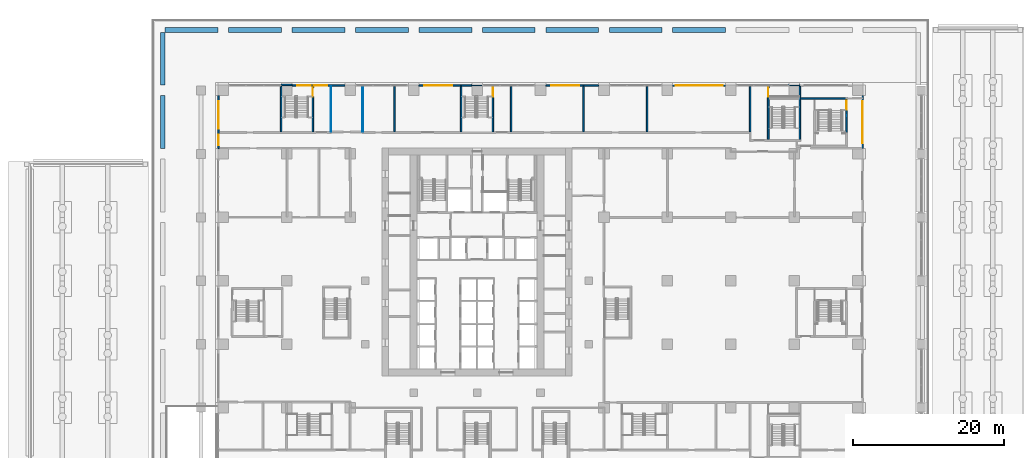
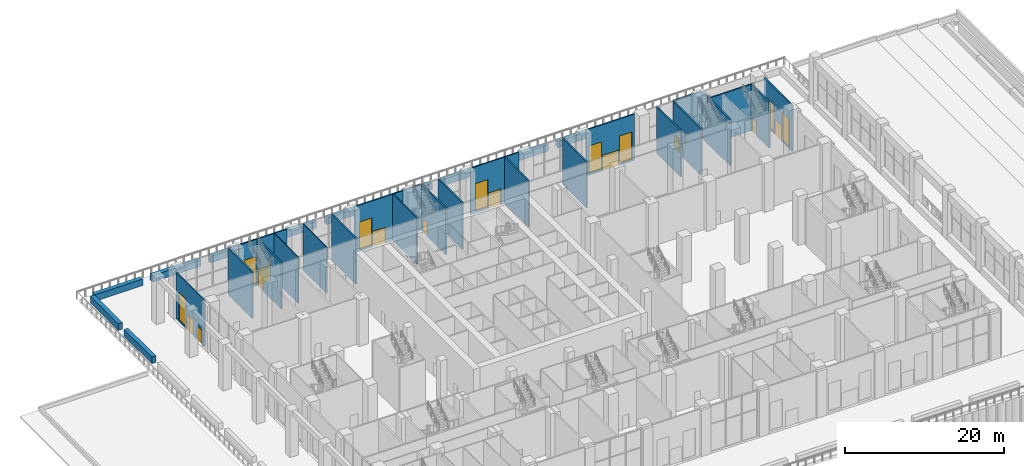
# One storey, part 31 of 53: 35 walls, 11 doors, 8 windows, 19 openings.
"""IFC4 building model written with IfcOpenShell, lengths in metres."""

from ifc_helpers import new_model, si_unit, direction, frame, frame_2d, origin, place, context, subcontext, project, spatial, rectangle, extrude, material, layer, layer_set, type_object, element, fill, save


model = new_model("IFC4")

# Units and contexts
model_context = context("Model", 3, precision=1e-05, world=origin(), true_north=direction((0.0, 1.0)))
body_context = subcontext(model_context, "Body", "Model", "MODEL_VIEW")
ifc_project = project(units=[si_unit("LENGTHUNIT", "METRE"), si_unit("AREAUNIT", "SQUARE_METRE"), si_unit("VOLUMEUNIT", "CUBIC_METRE"), si_unit("PLANEANGLEUNIT", "RADIAN"), si_unit("MASSUNIT", "GRAM", prefix="KILO")], contexts=[model_context])

# Site, building, storey
site_placement = place(None, origin())
site = spatial("IfcSite", under=ifc_project, at=site_placement, CompositionType="ELEMENT")
building_placement = place(site_placement, origin())
building = spatial("IfcBuilding", under=site, at=building_placement, Name="Vermilion Ogive Tower", CompositionType="ELEMENT")
storey_placement = place(building_placement, origin())
storey = spatial("IfcBuildingStorey", under=building, at=storey_placement, Name="L00", CompositionType="ELEMENT", Elevation=0.0)

# Walls
ifc_material_1 = material(Name="Gypsum board partition on steel studs", Category="steel")
ifc_layer_1 = layer(ifc_material_1, 0.10009765625)
ifc_layer_set_1 = layer_set([ifc_layer_1], Name="Partition 100 bath")
wall_type_1 = type_object("IfcWallType", Name="Partition 100 bath", PredefinedType="PARTITIONING", material=ifc_layer_set_1)
for number, where, z_axis, x_axis, name in (
    (1, (-19.35009765625, 23.925048828125, 0.0), (0.0, 0.0, 1.0), (0.0, 1.0, 0.0), "L00-FS-W-W067"),
    (2, (-15.14990234375, 23.925048828125, 0.0), (0.0, 0.0, 1.0), (0.0, 1.0, 0.0), "L00-FS-W-W075"),
):
    element("IfcWall", number, at=place(storey_placement, frame(where, z_axis=z_axis, x_axis=x_axis)), inside=storey, type_object=wall_type_1, Name=name, PredefinedType="PARTITIONING", context=body_context, shape_type="SweptSolid", body=[
        extrude(rectangle(XDim=6.02490234375, YDim=0.10009765625, at=frame_2d((3.012451171875, 0.0))), origin(), (0.0, 0.0, 1.0), 7.10009765625),
    ])
ifc_material_2 = material(Name="Gypsum board partition on steel studs", Category="steel")
ifc_layer_2 = layer(ifc_material_2, 0.199951171875)
ifc_layer_set_2 = layer_set([ifc_layer_2], Name="Partition 200 party")
wall_type_2 = type_object("IfcWallType", Name="Partition 200 party", PredefinedType="PARTITIONING", material=ifc_layer_set_2)
for number, where, z_axis, x_axis, name in (
    (3, (-10.949951171875, 23.925048828125, 0.0), (0.0, 0.0, 1.0), (0.0, 1.0, 0.0), "L00-FS-W-W076"),
    (4, (4.5, 23.925048828125, 0.0), (0.0, 0.0, 1.0), (0.0, 1.0, 0.0), "L00-FS-W-W084"),
    (5, (14.10009765625, 23.925048828125, 0.0), (0.0, 0.0, 1.0), (0.0, 1.0, 0.0), "L00-FS-W-W087"),
    (6, (22.5, 23.925048828125, 0.0), (0.0, 0.0, 1.0), (0.0, 1.0, 0.0), "L00-FS-W-W095"),
    (7, (36.14990234375, 23.925048828125, 0.0), (0.0, 0.0, 1.0), (0.0, 1.0, 0.0), "L00-FS-W-W108"),
):
    element("IfcWall", number, at=place(storey_placement, frame(where, z_axis=z_axis, x_axis=x_axis)), inside=storey, type_object=wall_type_2, Name=name, PredefinedType="PARTITIONING", context=body_context, shape_type="SweptSolid", body=[
        extrude(rectangle(XDim=6.02490234375, YDim=0.199951171875, at=frame_2d((3.012451171875, 0.0))), origin(), (0.0, 0.0, 1.0), 7.10009765625),
    ])
ifc_material_3 = material(Name="Concrete B60", Category="concrete")
ifc_layer_3 = layer(ifc_material_3, 0.199951171875)
ifc_layer_set_3 = layer_set([ifc_layer_3], Name="Stair shaft wall 200 Concrete B60")
wall_type_3 = type_object("IfcWallType", Name="Stair shaft wall 200 Concrete B60", PredefinedType="SOLIDWALL", material=ifc_layer_set_3)
wall_1_placement = place(storey_placement, frame((-25.949951171875, 23.925048828125, 0.0), z_axis=(0.0, 0.0, 1.0), x_axis=(0.0, 1.0, 0.0)))
element("IfcWall", 8, at=wall_1_placement, inside=storey, type_object=wall_type_3, Name="L00-FS-W-W057", PredefinedType="SOLIDWALL", context=body_context, shape_type="SweptSolid", body=[
    extrude(rectangle(XDim=6.02490234375, YDim=0.199951171875, at=frame_2d((3.012451171875, 0.0))), origin(), (0.0, 0.0, 1.0), 7.10009765625),
])

# Wall, opening, door
wall_2_placement = place(storey_placement, frame((-21.75, 23.925048828125, 0.0), z_axis=(0.0, 0.0, 1.0), x_axis=(0.0, 1.0, 0.0)))
wall_2 = element("IfcWall", 9, at=wall_2_placement, inside=storey, type_object=wall_type_3, Name="L00-FS-W-W065", PredefinedType="SOLIDWALL", context=body_context, shape_type="SweptSolid", body=[
    extrude(rectangle(XDim=6.02490234375, YDim=0.199951171875, at=frame_2d((3.012451171875, 0.0))), origin(), (0.0, 0.0, 1.0), 7.10009765625),
])
opening_1_placement = place(wall_2_placement, frame((4.625, 0.0, 0.0)))
opening_1 = element("IfcOpeningElement", 10, at=opening_1_placement, cuts=wall_2, Name="Opening L00S001", PredefinedType="OPENING", context=body_context, shape_type="SweptSolid", body=[
    extrude(rectangle(XDim=1.199951171875, YDim=2.10009765625, at=frame_2d((0.60009765625, 1.050048828125))), frame((0.0, 0.10986328125, 0.0), z_axis=(0.0, -1.0, 0.0), x_axis=(1.0, 0.0, 0.0)), (0.0, 0.0, 1.0), 0.219970703125),
])
ifc_material_4 = material(Name="Timber door leaf", Category="wood")
door_type_1 = type_object("IfcDoorType", Name="Stair door 1200 x 2100 FD60S", OperationType="SINGLE_SWING_LEFT", PredefinedType="DOOR", material=ifc_material_4)
door_1_placement = place(opening_1_placement, origin())
door_1 = element("IfcDoor", 11, at=door_1_placement, inside=storey, type_object=door_type_1, Name="L00-FS-D-D001", OperationType="DOUBLE_DOOR_SINGLE_SWING", OverallHeight=2.10009765625, OverallWidth=1.199951171875, PredefinedType="DOOR", context=body_context, shape_type="SweptSolid", body=[
    extrude(rectangle(XDim=1.199951171875, YDim=2.10009765625, at=frame_2d((0.60009765625, 1.050048828125))), frame((0.0, 0.02490234375, 0.0), z_axis=(0.0, -1.0, 0.0), x_axis=(1.0, 0.0, 0.0)), (0.0, 0.0, 1.0), 0.050048828125),
])
fill(opening_1, door_1)

# Wall
wall_3_placement = place(storey_placement, frame((-2.10009765625, 23.925048828125, 0.0), z_axis=(0.0, 0.0, 1.0), x_axis=(0.0, 1.0, 0.0)))
element("IfcWall", 12, at=wall_3_placement, inside=storey, type_object=wall_type_3, Name="L00-FS-W-W081", PredefinedType="SOLIDWALL", context=body_context, shape_type="SweptSolid", body=[
    extrude(rectangle(XDim=6.02490234375, YDim=0.199951171875, at=frame_2d((3.012451171875, 0.0))), origin(), (0.0, 0.0, 1.0), 7.10009765625),
])

# Wall, opening, door
wall_4_placement = place(storey_placement, frame((2.10009765625, 23.925048828125, 0.0), z_axis=(0.0, 0.0, 1.0), x_axis=(0.0, 1.0, 0.0)))
wall_4 = element("IfcWall", 13, at=wall_4_placement, inside=storey, type_object=wall_type_3, Name="L00-FS-W-W082", PredefinedType="SOLIDWALL", context=body_context, shape_type="SweptSolid", body=[
    extrude(rectangle(XDim=6.02490234375, YDim=0.199951171875, at=frame_2d((3.012451171875, 0.0))), origin(), (0.0, 0.0, 1.0), 7.10009765625),
])
opening_2_placement = place(wall_4_placement, frame((4.625, 0.0, 0.0)))
opening_2 = element("IfcOpeningElement", 14, at=opening_2_placement, cuts=wall_4, Name="Opening L00S005", PredefinedType="OPENING", context=body_context, shape_type="SweptSolid", body=[
    extrude(rectangle(XDim=1.199951171875, YDim=2.10009765625, at=frame_2d((0.60009765625, 1.050048828125))), frame((0.0, 0.10986328125, 0.0), z_axis=(0.0, -1.0, 0.0), x_axis=(1.0, 0.0, 0.0)), (0.0, 0.0, 1.0), 0.219970703125),
])
door_2_placement = place(opening_2_placement, origin())
door_2 = element("IfcDoor", 15, at=door_2_placement, inside=storey, type_object=door_type_1, Name="L00-FS-D-D005", OperationType="DOUBLE_DOOR_SINGLE_SWING", OverallHeight=2.10009765625, OverallWidth=1.199951171875, PredefinedType="DOOR", context=body_context, shape_type="SweptSolid", body=[
    extrude(rectangle(XDim=1.199951171875, YDim=2.10009765625, at=frame_2d((0.60009765625, 1.050048828125))), frame((0.0, 0.02490234375, 0.0), z_axis=(0.0, -1.0, 0.0), x_axis=(1.0, 0.0, 0.0)), (0.0, 0.0, 1.0), 0.050048828125),
])
fill(opening_2, door_2)

wall_5_placement = place(storey_placement, frame((38.550048828125, 22.875, 0.0), z_axis=(0.0, 0.0, 1.0), x_axis=(0.0, 1.0, 0.0)))
wall_5 = element("IfcWall", 16, at=wall_5_placement, inside=storey, type_object=wall_type_3, Name="L00-FS-W-W110", PredefinedType="SOLIDWALL", context=body_context, shape_type="SweptSolid", body=[
    extrude(rectangle(XDim=7.074951171875, YDim=0.199951171875, at=frame_2d((3.53759765625, 0.0))), origin(), (0.0, 0.0, 1.0), 7.10009765625),
])
opening_3_placement = place(wall_5_placement, frame((5.675048828125, 0.0, 0.0)))
opening_3 = element("IfcOpeningElement", 17, at=opening_3_placement, cuts=wall_5, Name="Opening L00S002", PredefinedType="OPENING", context=body_context, shape_type="SweptSolid", body=[
    extrude(rectangle(XDim=1.199951171875, YDim=2.10009765625, at=frame_2d((0.60009765625, 1.050048828125))), frame((0.0, 0.10986328125, 0.0), z_axis=(0.0, -1.0, 0.0), x_axis=(1.0, 0.0, 0.0)), (0.0, 0.0, 1.0), 0.219970703125),
])
door_3_placement = place(opening_3_placement, origin())
door_3 = element("IfcDoor", 18, at=door_3_placement, inside=storey, type_object=door_type_1, Name="L00-FS-D-D002", OperationType="DOUBLE_DOOR_SINGLE_SWING", OverallHeight=2.10009765625, OverallWidth=1.199951171875, PredefinedType="DOOR", context=body_context, shape_type="SweptSolid", body=[
    extrude(rectangle(XDim=1.199951171875, YDim=2.10009765625, at=frame_2d((0.60009765625, 1.050048828125))), frame((0.0, 0.02490234375, 0.0), z_axis=(0.0, -1.0, 0.0), x_axis=(1.0, 0.0, 0.0)), (0.0, 0.0, 1.0), 0.050048828125),
])
fill(opening_3, door_3)

# Wall
wall_6_placement = place(storey_placement, frame((42.75, 22.89990234375, 0.0), z_axis=(0.0, 0.0, 1.0), x_axis=(0.0, 1.0, 0.0)))
element("IfcWall", 19, at=wall_6_placement, inside=storey, type_object=wall_type_3, Name="L00-FS-W-W118", PredefinedType="SOLIDWALL", context=body_context, shape_type="SweptSolid", body=[
    extrude(rectangle(XDim=7.050048828125, YDim=0.199951171875, at=frame_2d((3.52490234375, 0.0))), origin(), (0.0, 0.0, 1.0), 7.10009765625),
])

# Wall, openings, window, door
wall_7_placement = place(storey_placement, frame((-7.699951171875, 30.050048828125, 0.0), z_axis=(0.0, 0.0, 1.0), x_axis=(1.0, 0.0, 0.0)))
wall_7 = element("IfcWall", 20, at=wall_7_placement, inside=storey, type_object=wall_type_3, Name="Window wall N7", PredefinedType="SOLIDWALL", context=body_context, shape_type="SweptSolid", body=[
    extrude(rectangle(XDim=7.0, YDim=0.199951171875, at=frame_2d((3.5, 0.0))), origin(), (0.0, 0.0, 1.0), 7.10009765625),
])
opening_4_placement = place(wall_7_placement, frame((0.699951171875, 0.0, 0.300048828125)))
opening_4 = element("IfcOpeningElement", 21, at=opening_4_placement, cuts=wall_7, Name="Opening P-N7A", PredefinedType="OPENING", context=body_context, shape_type="SweptSolid", body=[
    extrude(rectangle(XDim=1.800048828125, YDim=4.199951171875, at=frame_2d((0.89990234375, 2.10009765625))), frame((0.0, 0.10986328125, 0.0), z_axis=(0.0, -1.0, 0.0), x_axis=(1.0, 0.0, 0.0)), (0.0, 0.0, 1.0), 0.219970703125),
])
opening_5_placement = place(wall_7_placement, frame((2.60009765625, 0.0, 0.0)))
opening_5 = element("IfcOpeningElement", 22, at=opening_5_placement, cuts=wall_7, Name="Opening D2-N7", PredefinedType="OPENING", context=body_context, shape_type="SweptSolid", body=[
    extrude(rectangle(XDim=1.800048828125, YDim=2.39990234375, at=frame_2d((0.89990234375, 1.199951171875))), frame((0.0, 0.10986328125, 0.0), z_axis=(0.0, -1.0, 0.0), x_axis=(1.0, 0.0, 0.0)), (0.0, 0.0, 1.0), 0.219970703125),
])
ifc_material_5 = material(Name="Aluminium framed double glazing", Category="aluminium")
window_type = type_object("IfcWindowType", Name="Podium window P 1800x4200 sill 300", PartitioningType="SINGLE_PANEL", PredefinedType="WINDOW", material=ifc_material_5)
window_1_placement = place(opening_4_placement, origin())
window_1 = element("IfcWindow", 23, at=window_1_placement, inside=storey, type_object=window_type, Name="Window N7A", OverallHeight=4.199951171875, OverallWidth=1.800048828125, PartitioningType="SINGLE_PANEL", PredefinedType="WINDOW", context=body_context, shape_type="SweptSolid", body=[
    extrude(rectangle(XDim=1.800048828125, YDim=4.199951171875, at=frame_2d((0.89990234375, 2.10009765625))), frame((0.0, 0.030029296875, 0.0), z_axis=(0.0, -1.0, 0.0), x_axis=(1.0, 0.0, 0.0)), (0.0, 0.0, 1.0), 0.06005859375),
])
fill(opening_4, window_1)
ifc_material_6 = material(Name="Aluminium framed glazed door", Category="aluminium")
door_type_2 = type_object("IfcDoorType", Name="Terrace door D2", OperationType="SINGLE_SWING_LEFT", PredefinedType="DOOR", material=ifc_material_6)
door_4_placement = place(opening_5_placement, origin())
door_4 = element("IfcDoor", 24, at=door_4_placement, inside=storey, type_object=door_type_2, Name="Terrace door N7", OperationType="SINGLE_SWING_LEFT", OverallHeight=2.39990234375, OverallWidth=1.800048828125, PredefinedType="DOOR", context=body_context, shape_type="SweptSolid", body=[
    extrude(rectangle(XDim=1.800048828125, YDim=2.39990234375, at=frame_2d((0.89990234375, 1.199951171875))), frame((0.0, 0.02490234375, 0.0), z_axis=(0.0, -1.0, 0.0), x_axis=(1.0, 0.0, 0.0)), (0.0, 0.0, 1.0), 0.050048828125),
])
fill(opening_5, door_4)

wall_8_placement = place(storey_placement, frame((-24.5, 30.050048828125, 0.0), z_axis=(0.0, 0.0, 1.0), x_axis=(1.0, 0.0, 0.0)))
wall_8 = element("IfcWall", 25, at=wall_8_placement, inside=storey, type_object=wall_type_3, Name="Window wall N9", PredefinedType="SOLIDWALL", context=body_context, shape_type="SweptSolid", body=[
    extrude(rectangle(XDim=7.0, YDim=0.199951171875, at=frame_2d((3.5, 0.0))), origin(), (0.0, 0.0, 1.0), 7.10009765625),
])
opening_6_placement = place(wall_8_placement, frame((0.699951171875, 0.0, 0.300048828125)))
opening_6 = element("IfcOpeningElement", 26, at=opening_6_placement, cuts=wall_8, Name="Opening P-N9A", PredefinedType="OPENING", context=body_context, shape_type="SweptSolid", body=[
    extrude(rectangle(XDim=1.800048828125, YDim=4.199951171875, at=frame_2d((0.89990234375, 2.10009765625))), frame((0.0, 0.10986328125, 0.0), z_axis=(0.0, -1.0, 0.0), x_axis=(1.0, 0.0, 0.0)), (0.0, 0.0, 1.0), 0.219970703125),
])
opening_7_placement = place(wall_8_placement, frame((2.85009765625, 0.0, 0.0)))
opening_7 = element("IfcOpeningElement", 27, at=opening_7_placement, cuts=wall_8, Name="Opening D2-N9", PredefinedType="OPENING", context=body_context, shape_type="SweptSolid", body=[
    extrude(rectangle(XDim=1.800048828125, YDim=2.39990234375, at=frame_2d((0.89990234375, 1.199951171875))), frame((0.0, 0.10986328125, 0.0), z_axis=(0.0, -1.0, 0.0), x_axis=(1.0, 0.0, 0.0)), (0.0, 0.0, 1.0), 0.219970703125),
])
window_2_placement = place(opening_6_placement, origin())
window_2 = element("IfcWindow", 28, at=window_2_placement, inside=storey, type_object=window_type, Name="Window N9A", OverallHeight=4.199951171875, OverallWidth=1.800048828125, PartitioningType="SINGLE_PANEL", PredefinedType="WINDOW", context=body_context, shape_type="SweptSolid", body=[
    extrude(rectangle(XDim=1.800048828125, YDim=4.199951171875, at=frame_2d((0.89990234375, 2.10009765625))), frame((0.0, 0.030029296875, 0.0), z_axis=(0.0, -1.0, 0.0), x_axis=(1.0, 0.0, 0.0)), (0.0, 0.0, 1.0), 0.06005859375),
])
fill(opening_6, window_2)
door_5_placement = place(opening_7_placement, origin())
door_5 = element("IfcDoor", 29, at=door_5_placement, inside=storey, type_object=door_type_2, Name="Terrace door N9", OperationType="SINGLE_SWING_LEFT", OverallHeight=2.39990234375, OverallWidth=1.800048828125, PredefinedType="DOOR", context=body_context, shape_type="SweptSolid", body=[
    extrude(rectangle(XDim=1.800048828125, YDim=2.39990234375, at=frame_2d((0.89990234375, 1.199951171875))), frame((0.0, 0.02490234375, 0.0), z_axis=(0.0, -1.0, 0.0), x_axis=(1.0, 0.0, 0.0)), (0.0, 0.0, 1.0), 0.050048828125),
])
fill(opening_7, door_5)

# Walls
wall_9_placement = place(storey_placement, frame((-25.949951171875, 30.14990234375, 0.0), z_axis=(0.0, 0.0, 1.0), x_axis=(1.0, 0.0, 0.0)))
element("IfcWall", 30, at=wall_9_placement, inside=storey, type_object=wall_type_3, Name="L00-SW-R001-N1", PredefinedType="SOLIDWALL", context=body_context, shape_type="SweptSolid", body=[
    extrude(rectangle(XDim=1.449951171875, YDim=0.199951171875, at=frame_2d((0.72509765625, 0.0))), origin(), (0.0, 0.0, 1.0), 7.10009765625),
])
wall_10_placement = place(storey_placement, frame((-0.699951171875, 30.14990234375, 0.0), z_axis=(0.0, 0.0, 1.0), x_axis=(1.0, 0.0, 0.0)))
element("IfcWall", 31, at=wall_10_placement, inside=storey, type_object=wall_type_3, Name="L00-SW-R009-N1", PredefinedType="SOLIDWALL", context=body_context, shape_type="SweptSolid", body=[
    extrude(rectangle(XDim=2.800048828125, YDim=0.199951171875, at=frame_2d((1.39990234375, 0.0))), origin(), (0.0, 0.0, 1.0), 7.10009765625),
])
wall_11_placement = place(storey_placement, frame((38.550048828125, 30.14990234375, 0.0), z_axis=(0.0, 0.0, 1.0), x_axis=(1.0, 0.0, 0.0)))
element("IfcWall", 32, at=wall_11_placement, inside=storey, type_object=wall_type_3, Name="L00-SW-R003-N1-A", PredefinedType="SOLIDWALL", context=body_context, shape_type="SweptSolid", body=[
    extrude(rectangle(XDim=4.14990234375, YDim=0.199951171875, at=frame_2d((2.074951171875, 0.0))), origin(), (0.0, 0.0, 1.0), 7.10009765625),
])

# Wall, opening, door
wall_12_placement = place(storey_placement, frame((48.918212890625, 23.7998046875, 0.0), z_axis=(0.0, 0.0, 1.0), x_axis=(-0.004091618778, 0.999991629293, 0.0)))
wall_12 = element("IfcWall", 33, at=wall_12_placement, inside=storey, type_object=wall_type_3, Name="L00-FS-W-W124-B", PredefinedType="SOLIDWALL", context=body_context, shape_type="SweptSolid", body=[
    extrude(rectangle(XDim=4.47509765625, YDim=0.199951171875, at=frame_2d((2.237548828125, 0.0))), origin(), (0.0, 0.0, 1.0), 7.10009765625),
])
opening_8_placement = place(wall_12_placement, frame((3.05029296875, 0.0, 0.0)))
opening_8 = element("IfcOpeningElement", 34, at=opening_8_placement, cuts=wall_12, Name="Opening L00S008", PredefinedType="OPENING", context=body_context, shape_type="SweptSolid", body=[
    extrude(rectangle(XDim=1.199951171875, YDim=2.10009765625, at=frame_2d((0.60009765625, 1.050048828125))), frame((0.0, 0.10986328125, 0.0), z_axis=(0.0, -1.0, 0.0), x_axis=(1.0, 0.0, 0.0)), (0.0, 0.0, 1.0), 0.219970703125),
])
door_6_placement = place(opening_8_placement, origin())
door_6 = element("IfcDoor", 35, at=door_6_placement, inside=storey, type_object=door_type_1, Name="L00-FS-D-D008", OperationType="DOUBLE_DOOR_SINGLE_SWING", OverallHeight=2.10009765625, OverallWidth=1.199951171875, PredefinedType="DOOR", context=body_context, shape_type="SweptSolid", body=[
    extrude(rectangle(XDim=1.199951171875, YDim=2.10009765625, at=frame_2d((0.60009765625, 1.050048828125))), frame((0.0, 0.02490234375, 0.0), z_axis=(0.0, -1.0, 0.0), x_axis=(1.0, 0.0, 0.0)), (0.0, 0.0, 1.0), 0.050048828125),
])
fill(opening_8, door_6)

# Walls
wall_13_placement = place(storey_placement, frame((42.85009765625, 28.35009765625, 0.0), z_axis=(0.0, 0.0, 1.0), x_axis=(1.0, 0.0, 0.0)))
element("IfcWall", 36, at=wall_13_placement, inside=storey, type_object=wall_type_3, Name="L00-FS-W-W046-A", PredefinedType="SOLIDWALL", context=body_context, shape_type="SweptSolid", body=[
    extrude(rectangle(XDim=6.125, YDim=0.199951171875, at=frame_2d((3.0625, 0.0))), origin(), (0.0, 0.0, 1.0), 7.10009765625),
])
ifc_material_7 = material(Name="Concrete B40", Category="concrete")
ifc_layer_4 = layer(ifc_material_7, 0.60009765625)
ifc_layer_set_4 = layer_set([ifc_layer_4], Name="Terrace planter")
wall_type_4 = type_object("IfcWallType", Name="Terrace planter", PredefinedType="USERDEFINED", material=ifc_layer_set_4)
for number, where, z_axis, x_axis, name in (
    (37, (-41.300048828125, 37.39990234375, 0.0), (0.0, 0.0, 1.0), (1.0, 0.0, 0.0), "Terrace planter 1.1.1"),
    (38, (-32.89990234375, 37.39990234375, 0.0), (0.0, 0.0, 1.0), (1.0, 0.0, 0.0), "Terrace planter 1.1.2"),
    (39, (-24.5, 37.39990234375, 0.0), (0.0, 0.0, 1.0), (1.0, 0.0, 0.0), "Terrace planter 1.1.3"),
    (40, (-16.10009765625, 37.39990234375, 0.0), (0.0, 0.0, 1.0), (1.0, 0.0, 0.0), "Terrace planter 1.1.4"),
    (41, (-7.699951171875, 37.39990234375, 0.0), (0.0, 0.0, 1.0), (1.0, 0.0, 0.0), "Terrace planter 1.1.5"),
    (42, (0.699951171875, 37.39990234375, 0.0), (0.0, 0.0, 1.0), (1.0, 0.0, 0.0), "Terrace planter 1.1.6"),
    (43, (9.10009765625, 37.39990234375, 0.0), (0.0, 0.0, 1.0), (1.0, 0.0, 0.0), "Terrace planter 1.1.7"),
    (44, (17.5, 37.39990234375, 0.0), (0.0, 0.0, 1.0), (1.0, 0.0, 0.0), "Terrace planter 1.1.8"),
    (45, (25.89990234375, 37.39990234375, 0.0), (0.0, 0.0, 1.0), (1.0, 0.0, 0.0), "Terrace planter 1.1.9"),
    (46, (-41.60009765625, 21.699951171875, 0.0), (0.0, 0.0, 1.0), (0.0, 1.0, 0.0), "Terrace planter 1.1.41"),
    (47, (-41.60009765625, 30.10009765625, 0.0), (0.0, 0.0, 1.0), (0.0, 1.0, 0.0), "Terrace planter 1.1.42"),
):
    element("IfcWall", number, at=place(storey_placement, frame(where, z_axis=z_axis, x_axis=x_axis)), inside=storey, type_object=wall_type_4, Name=name, ObjectType="PLANTER", PredefinedType="USERDEFINED", context=body_context, shape_type="SweptSolid", body=[
        extrude(rectangle(XDim=7.0, YDim=0.60009765625, at=frame_2d((3.5, 0.0))), origin(), (0.0, 0.0, 1.0), 1.0),
    ])

# Wall, openings, windows, door
ifc_material_8 = material(Name="Aluminium window wall framing", Category="aluminium")
ifc_layer_5 = layer(ifc_material_8, 0.199951171875)
ifc_layer_set_5 = layer_set([ifc_layer_5], Name="Window wall")
wall_type_5 = type_object("IfcWallType", Name="Window wall", PredefinedType="STANDARD", material=ifc_layer_set_5)
wall_14_placement = place(storey_placement, frame((51.050048828125, 28.699951171875, 0.0), z_axis=(0.0, 0.0, 1.0), x_axis=(0.0, -1.0, 0.0)))
wall_14 = element("IfcWall", 48, at=wall_14_placement, inside=storey, type_object=wall_type_5, Name="Window wall E7", PredefinedType="STANDARD", context=body_context, shape_type="SweptSolid", body=[
    extrude(rectangle(XDim=7.0, YDim=0.199951171875, at=frame_2d((3.5, 0.0))), origin(), (0.0, 0.0, 1.0), 7.10009765625),
])
opening_9_placement = place(wall_14_placement, frame((4.5, 0.0, 0.300048828125)))
opening_9 = element("IfcOpeningElement", 49, at=opening_9_placement, cuts=wall_14, Name="Opening P-E7A", PredefinedType="OPENING", context=body_context, shape_type="SweptSolid", body=[
    extrude(rectangle(XDim=1.800048828125, YDim=4.199951171875, at=frame_2d((0.89990234375, 2.10009765625))), frame((0.0, 0.10986328125, 0.0), z_axis=(0.0, -1.0, 0.0), x_axis=(1.0, 0.0, 0.0)), (0.0, 0.0, 1.0), 0.219970703125),
])
opening_10_placement = place(wall_14_placement, frame((2.60009765625, 0.0, 0.0)))
opening_10 = element("IfcOpeningElement", 50, at=opening_10_placement, cuts=wall_14, Name="Opening D2-E7", PredefinedType="OPENING", context=body_context, shape_type="SweptSolid", body=[
    extrude(rectangle(XDim=1.800048828125, YDim=2.39990234375, at=frame_2d((0.89990234375, 1.199951171875))), frame((0.0, 0.10986328125, 0.0), z_axis=(0.0, -1.0, 0.0), x_axis=(1.0, 0.0, 0.0)), (0.0, 0.0, 1.0), 0.219970703125),
])
opening_11_placement = place(wall_14_placement, frame((0.699951171875, 0.0, 0.300048828125)))
opening_11 = element("IfcOpeningElement", 51, at=opening_11_placement, cuts=wall_14, Name="Opening P-E7B", PredefinedType="OPENING", context=body_context, shape_type="SweptSolid", body=[
    extrude(rectangle(XDim=1.800048828125, YDim=4.199951171875, at=frame_2d((0.89990234375, 2.10009765625))), frame((0.0, 0.10986328125, 0.0), z_axis=(0.0, -1.0, 0.0), x_axis=(1.0, 0.0, 0.0)), (0.0, 0.0, 1.0), 0.219970703125),
])
window_3_placement = place(opening_9_placement, origin())
window_3 = element("IfcWindow", 52, at=window_3_placement, inside=storey, type_object=window_type, Name="Window E7A", OverallHeight=4.199951171875, OverallWidth=1.800048828125, PartitioningType="SINGLE_PANEL", PredefinedType="WINDOW", context=body_context, shape_type="SweptSolid", body=[
    extrude(rectangle(XDim=1.800048828125, YDim=4.199951171875, at=frame_2d((0.89990234375, 2.10009765625))), frame((0.0, 0.030029296875, 0.0), z_axis=(0.0, -1.0, 0.0), x_axis=(1.0, 0.0, 0.0)), (0.0, 0.0, 1.0), 0.06005859375),
])
fill(opening_9, window_3)
window_4_placement = place(opening_11_placement, origin())
window_4 = element("IfcWindow", 53, at=window_4_placement, inside=storey, type_object=window_type, Name="Window E7B", OverallHeight=4.199951171875, OverallWidth=1.800048828125, PartitioningType="SINGLE_PANEL", PredefinedType="WINDOW", context=body_context, shape_type="SweptSolid", body=[
    extrude(rectangle(XDim=1.800048828125, YDim=4.199951171875, at=frame_2d((0.89990234375, 2.10009765625))), frame((0.0, 0.030029296875, 0.0), z_axis=(0.0, -1.0, 0.0), x_axis=(1.0, 0.0, 0.0)), (0.0, 0.0, 1.0), 0.06005859375),
])
fill(opening_11, window_4)
door_7_placement = place(opening_10_placement, origin())
door_7 = element("IfcDoor", 54, at=door_7_placement, inside=storey, type_object=door_type_2, Name="Terrace door E7", OperationType="SINGLE_SWING_LEFT", OverallHeight=2.39990234375, OverallWidth=1.800048828125, PredefinedType="DOOR", context=body_context, shape_type="SweptSolid", body=[
    extrude(rectangle(XDim=1.800048828125, YDim=2.39990234375, at=frame_2d((0.89990234375, 1.199951171875))), frame((0.0, 0.02490234375, 0.0), z_axis=(0.0, -1.0, 0.0), x_axis=(1.0, 0.0, 0.0)), (0.0, 0.0, 1.0), 0.050048828125),
])
fill(opening_10, door_7)

# Wall, openings, door, windows
wall_15_placement = place(storey_placement, frame((25.89990234375, 30.050048828125, 0.0), z_axis=(0.0, 0.0, 1.0), x_axis=(1.0, 0.0, 0.0)))
wall_15 = element("IfcWall", 55, at=wall_15_placement, inside=storey, type_object=wall_type_5, Name="Window wall N3", PredefinedType="STANDARD", context=body_context, shape_type="SweptSolid", body=[
    extrude(rectangle(XDim=7.0, YDim=0.199951171875, at=frame_2d((3.5, 0.0))), origin(), (0.0, 0.0, 1.0), 7.10009765625),
])
opening_12_placement = place(wall_15_placement, frame((4.800048828125, 0.0, 0.300048828125)))
opening_12 = element("IfcOpeningElement", 56, at=opening_12_placement, cuts=wall_15, Name="Opening P-N3A", PredefinedType="OPENING", context=body_context, shape_type="SweptSolid", body=[
    extrude(rectangle(XDim=1.800048828125, YDim=4.199951171875, at=frame_2d((0.89990234375, 2.10009765625))), frame((0.0, 0.10986328125, 0.0), z_axis=(0.0, -1.0, 0.0), x_axis=(1.0, 0.0, 0.0)), (0.0, 0.0, 1.0), 0.219970703125),
])
opening_13_placement = place(wall_15_placement, frame((2.300048828125, 0.0, 0.0)))
opening_13 = element("IfcOpeningElement", 57, at=opening_13_placement, cuts=wall_15, Name="Opening E1-N3", PredefinedType="OPENING", context=body_context, shape_type="SweptSolid", body=[
    extrude(rectangle(XDim=2.39990234375, YDim=2.39990234375, at=frame_2d((1.199951171875, 1.199951171875))), frame((0.0, 0.10986328125, 0.0), z_axis=(0.0, -1.0, 0.0), x_axis=(1.0, 0.0, 0.0)), (0.0, 0.0, 1.0), 0.219970703125),
])
opening_14_placement = place(wall_15_placement, frame((0.39990234375, 0.0, 0.300048828125)))
opening_14 = element("IfcOpeningElement", 58, at=opening_14_placement, cuts=wall_15, Name="Opening P-N3B", PredefinedType="OPENING", context=body_context, shape_type="SweptSolid", body=[
    extrude(rectangle(XDim=1.800048828125, YDim=4.199951171875, at=frame_2d((0.89990234375, 2.10009765625))), frame((0.0, 0.10986328125, 0.0), z_axis=(0.0, -1.0, 0.0), x_axis=(1.0, 0.0, 0.0)), (0.0, 0.0, 1.0), 0.219970703125),
])
ifc_material_9 = material(Name="Aluminium framed glazed door", Category="aluminium")
door_type_3 = type_object("IfcDoorType", Name="Entrance door E1", OperationType="DOUBLE_DOOR_SINGLE_SWING", PredefinedType="DOOR", material=ifc_material_9)
door_8_placement = place(opening_13_placement, origin())
door_8 = element("IfcDoor", 59, at=door_8_placement, inside=storey, type_object=door_type_3, Name="Entrance door N3", OperationType="SINGLE_SWING_LEFT", OverallHeight=2.39990234375, OverallWidth=2.39990234375, PredefinedType="DOOR", context=body_context, shape_type="SweptSolid", body=[
    extrude(rectangle(XDim=2.39990234375, YDim=2.39990234375, at=frame_2d((1.199951171875, 1.199951171875))), frame((0.0, 0.02490234375, 0.0), z_axis=(0.0, -1.0, 0.0), x_axis=(1.0, 0.0, 0.0)), (0.0, 0.0, 1.0), 0.050048828125),
])
fill(opening_13, door_8)
window_5_placement = place(opening_12_placement, origin())
window_5 = element("IfcWindow", 60, at=window_5_placement, inside=storey, type_object=window_type, Name="Window N3A", OverallHeight=4.199951171875, OverallWidth=1.800048828125, PartitioningType="SINGLE_PANEL", PredefinedType="WINDOW", context=body_context, shape_type="SweptSolid", body=[
    extrude(rectangle(XDim=1.800048828125, YDim=4.199951171875, at=frame_2d((0.89990234375, 2.10009765625))), frame((0.0, 0.030029296875, 0.0), z_axis=(0.0, -1.0, 0.0), x_axis=(1.0, 0.0, 0.0)), (0.0, 0.0, 1.0), 0.06005859375),
])
fill(opening_12, window_5)
window_6_placement = place(opening_14_placement, origin())
window_6 = element("IfcWindow", 61, at=window_6_placement, inside=storey, type_object=window_type, Name="Window N3B", OverallHeight=4.199951171875, OverallWidth=1.800048828125, PartitioningType="SINGLE_PANEL", PredefinedType="WINDOW", context=body_context, shape_type="SweptSolid", body=[
    extrude(rectangle(XDim=1.800048828125, YDim=4.199951171875, at=frame_2d((0.89990234375, 2.10009765625))), frame((0.0, 0.030029296875, 0.0), z_axis=(0.0, -1.0, 0.0), x_axis=(1.0, 0.0, 0.0)), (0.0, 0.0, 1.0), 0.06005859375),
])
fill(opening_14, window_6)

# Wall, openings, window, door
wall_16_placement = place(storey_placement, frame((9.10009765625, 30.050048828125, 0.0), z_axis=(0.0, 0.0, 1.0), x_axis=(1.0, 0.0, 0.0)))
wall_16 = element("IfcWall", 62, at=wall_16_placement, inside=storey, type_object=wall_type_5, Name="Window wall N5", PredefinedType="STANDARD", context=body_context, shape_type="SweptSolid", body=[
    extrude(rectangle(XDim=7.0, YDim=0.199951171875, at=frame_2d((3.5, 0.0))), origin(), (0.0, 0.0, 1.0), 7.10009765625),
])
opening_15_placement = place(wall_16_placement, frame((2.60009765625, 0.0, 0.0)))
opening_15 = element("IfcOpeningElement", 63, at=opening_15_placement, cuts=wall_16, Name="Opening D2-N5", PredefinedType="OPENING", context=body_context, shape_type="SweptSolid", body=[
    extrude(rectangle(XDim=1.800048828125, YDim=2.39990234375, at=frame_2d((0.89990234375, 1.199951171875))), frame((0.0, 0.10986328125, 0.0), z_axis=(0.0, -1.0, 0.0), x_axis=(1.0, 0.0, 0.0)), (0.0, 0.0, 1.0), 0.219970703125),
])
opening_16_placement = place(wall_16_placement, frame((0.699951171875, 0.0, 0.300048828125)))
opening_16 = element("IfcOpeningElement", 64, at=opening_16_placement, cuts=wall_16, Name="Opening P-N5B", PredefinedType="OPENING", context=body_context, shape_type="SweptSolid", body=[
    extrude(rectangle(XDim=1.800048828125, YDim=4.199951171875, at=frame_2d((0.89990234375, 2.10009765625))), frame((0.0, 0.10986328125, 0.0), z_axis=(0.0, -1.0, 0.0), x_axis=(1.0, 0.0, 0.0)), (0.0, 0.0, 1.0), 0.219970703125),
])
window_7_placement = place(opening_16_placement, origin())
window_7 = element("IfcWindow", 65, at=window_7_placement, inside=storey, type_object=window_type, Name="Window N5B", OverallHeight=4.199951171875, OverallWidth=1.800048828125, PartitioningType="SINGLE_PANEL", PredefinedType="WINDOW", context=body_context, shape_type="SweptSolid", body=[
    extrude(rectangle(XDim=1.800048828125, YDim=4.199951171875, at=frame_2d((0.89990234375, 2.10009765625))), frame((0.0, 0.030029296875, 0.0), z_axis=(0.0, -1.0, 0.0), x_axis=(1.0, 0.0, 0.0)), (0.0, 0.0, 1.0), 0.06005859375),
])
fill(opening_16, window_7)
door_9_placement = place(opening_15_placement, origin())
door_9 = element("IfcDoor", 66, at=door_9_placement, inside=storey, type_object=door_type_2, Name="Terrace door N5", OperationType="SINGLE_SWING_LEFT", OverallHeight=2.39990234375, OverallWidth=1.800048828125, PredefinedType="DOOR", context=body_context, shape_type="SweptSolid", body=[
    extrude(rectangle(XDim=1.800048828125, YDim=2.39990234375, at=frame_2d((0.89990234375, 1.199951171875))), frame((0.0, 0.02490234375, 0.0), z_axis=(0.0, -1.0, 0.0), x_axis=(1.0, 0.0, 0.0)), (0.0, 0.0, 1.0), 0.050048828125),
])
fill(opening_15, door_9)

# Wall, openings, doors, window
wall_17_placement = place(storey_placement, frame((-34.25, 21.699951171875, 0.0), z_axis=(0.0, 0.0, 1.0), x_axis=(0.0, 1.0, 0.0)))
wall_17 = element("IfcWall", 67, at=wall_17_placement, inside=storey, type_object=wall_type_5, Name="Window wall W1", PredefinedType="STANDARD", context=body_context, shape_type="SweptSolid", body=[
    extrude(rectangle(XDim=7.0, YDim=0.199951171875, at=frame_2d((3.5, 0.0))), origin(), (0.0, 0.0, 1.0), 7.10009765625),
])
opening_17_placement = place(wall_17_placement, frame((4.5, 0.0, 0.300048828125)))
opening_17 = element("IfcOpeningElement", 68, at=opening_17_placement, cuts=wall_17, Name="Opening P-W1A", PredefinedType="OPENING", context=body_context, shape_type="SweptSolid", body=[
    extrude(rectangle(XDim=1.800048828125, YDim=4.199951171875, at=frame_2d((0.89990234375, 2.10009765625))), frame((0.0, 0.10986328125, 0.0), z_axis=(0.0, -1.0, 0.0), x_axis=(1.0, 0.0, 0.0)), (0.0, 0.0, 1.0), 0.219970703125),
])
opening_18_placement = place(wall_17_placement, frame((2.60009765625, 0.0, 0.0)))
opening_18 = element("IfcOpeningElement", 69, at=opening_18_placement, cuts=wall_17, Name="Opening D2-W1", PredefinedType="OPENING", context=body_context, shape_type="SweptSolid", body=[
    extrude(rectangle(XDim=1.800048828125, YDim=2.39990234375, at=frame_2d((0.89990234375, 1.199951171875))), frame((0.0, 0.10986328125, 0.0), z_axis=(0.0, -1.0, 0.0), x_axis=(1.0, 0.0, 0.0)), (0.0, 0.0, 1.0), 0.219970703125),
])
opening_19_placement = place(wall_17_placement, frame((0.449951171875, 0.0, 0.0)))
opening_19 = element("IfcOpeningElement", 70, at=opening_19_placement, cuts=wall_17, Name="Opening X1-W1", PredefinedType="OPENING", context=body_context, shape_type="SweptSolid", body=[
    extrude(rectangle(XDim=1.39990234375, YDim=2.10009765625, at=frame_2d((0.699951171875, 1.050048828125))), frame((0.0, 0.10986328125, 0.0), z_axis=(0.0, -1.0, 0.0), x_axis=(1.0, 0.0, 0.0)), (0.0, 0.0, 1.0), 0.219970703125),
])
ifc_material_10 = material(Name="Aluminium framed glazed door", Category="aluminium")
door_type_4 = type_object("IfcDoorType", Name="Exit door X1", OperationType="SINGLE_SWING_LEFT", PredefinedType="DOOR", material=ifc_material_10)
door_10_placement = place(opening_19_placement, origin())
door_10 = element("IfcDoor", 71, at=door_10_placement, inside=storey, type_object=door_type_4, Name="Exit door W1", OperationType="SINGLE_SWING_LEFT", OverallHeight=2.10009765625, OverallWidth=1.39990234375, PredefinedType="DOOR", context=body_context, shape_type="SweptSolid", body=[
    extrude(rectangle(XDim=1.39990234375, YDim=2.10009765625, at=frame_2d((0.699951171875, 1.050048828125))), frame((0.0, 0.02490234375, 0.0), z_axis=(0.0, -1.0, 0.0), x_axis=(1.0, 0.0, 0.0)), (0.0, 0.0, 1.0), 0.050048828125),
])
fill(opening_19, door_10)
window_8_placement = place(opening_17_placement, origin())
window_8 = element("IfcWindow", 72, at=window_8_placement, inside=storey, type_object=window_type, Name="Window W1A", OverallHeight=4.199951171875, OverallWidth=1.800048828125, PartitioningType="SINGLE_PANEL", PredefinedType="WINDOW", context=body_context, shape_type="SweptSolid", body=[
    extrude(rectangle(XDim=1.800048828125, YDim=4.199951171875, at=frame_2d((0.89990234375, 2.10009765625))), frame((0.0, 0.030029296875, 0.0), z_axis=(0.0, -1.0, 0.0), x_axis=(1.0, 0.0, 0.0)), (0.0, 0.0, 1.0), 0.06005859375),
])
fill(opening_17, window_8)
door_11_placement = place(opening_18_placement, origin())
door_11 = element("IfcDoor", 73, at=door_11_placement, inside=storey, type_object=door_type_2, Name="Terrace door W1", OperationType="SINGLE_SWING_LEFT", OverallHeight=2.39990234375, OverallWidth=1.800048828125, PredefinedType="DOOR", context=body_context, shape_type="SweptSolid", body=[
    extrude(rectangle(XDim=1.800048828125, YDim=2.39990234375, at=frame_2d((0.89990234375, 1.199951171875))), frame((0.0, 0.02490234375, 0.0), z_axis=(0.0, -1.0, 0.0), x_axis=(1.0, 0.0, 0.0)), (0.0, 0.0, 1.0), 0.050048828125),
])
fill(opening_18, door_11)

save(model, "model.ifc")
